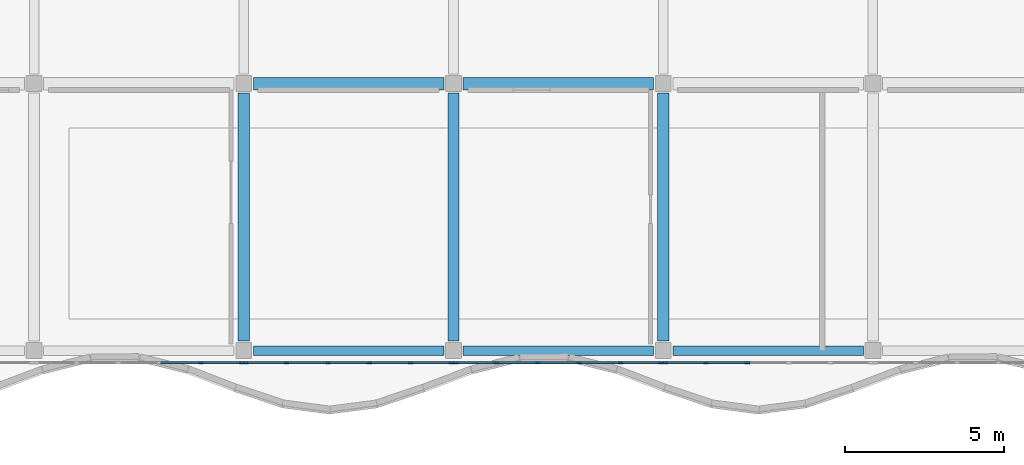
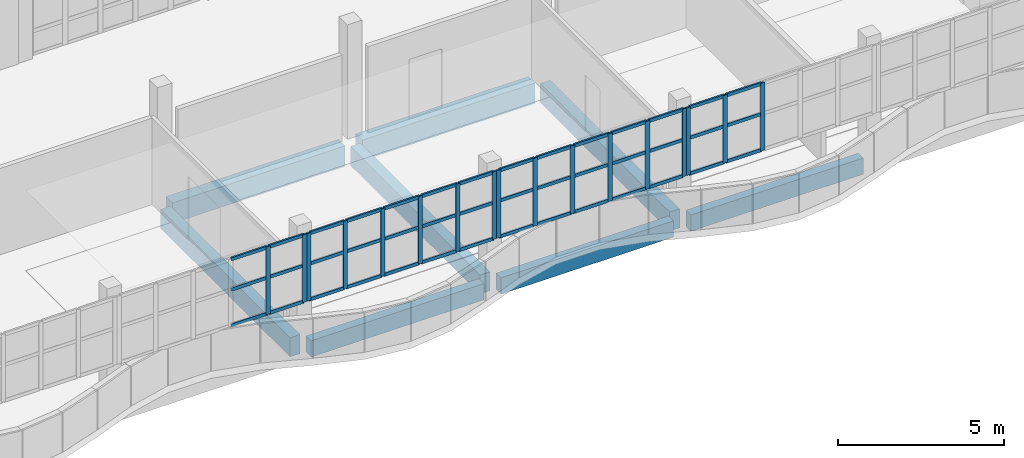
# One storey, part 20 of 78: 59 members, 8 beams, 4 elements without a shape of their own.
"""IFC4 building model written with IfcOpenShell, lengths in metres."""

from ifc_helpers import new_model, si_unit, direction, frame, origin, origin_2d, place, context, subcontext, project, spatial, rectangle, extrude, material, material_profile, profile_set, type_object, element, aggregate, save


model = new_model("IFC4")

# Units and contexts
model_context = context("Model", 3, precision=1e-05, world=origin(), true_north=direction((0.0, 1.0)))
body_context = subcontext(model_context, "Body", "Model", "MODEL_VIEW")
ifc_project = project(units=[si_unit("LENGTHUNIT", "METRE"), si_unit("AREAUNIT", "SQUARE_METRE"), si_unit("VOLUMEUNIT", "CUBIC_METRE"), si_unit("PLANEANGLEUNIT", "RADIAN"), si_unit("MASSUNIT", "GRAM", prefix="KILO")], contexts=[model_context])

# Site, building, storey
site_placement = place(None, origin())
site = spatial("IfcSite", under=ifc_project, at=site_placement, CompositionType="ELEMENT")
building_placement = place(site_placement, origin())
building = spatial("IfcBuilding", under=site, at=building_placement, Name="Qaldarim Faculty of Natural and Applied Sciences", CompositionType="ELEMENT")
storey_placement = place(building_placement, frame((0.0, 0.0, 18.60009765625)))
storey = spatial("IfcBuildingStorey", under=building, at=storey_placement, Name="L04", CompositionType="ELEMENT", Elevation=18.60009765625)

# Beams
ifc_material_1 = material(Name="Concrete C50/60", Category="concrete")
ifc_material_profile_1 = material_profile(ifc_material_1, rectangle(XDim=0.39990234375, YDim=0.75, at=origin_2d()), Name="RC-B400x750")
ifc_profile_set_1 = profile_set([ifc_material_profile_1], Name="Concrete C50/60")
beam_type_1 = type_object("IfcBeamType", Name="LabGirder-RC400x750", PredefinedType="BEAM", material=ifc_profile_set_1)
for number, where, z_axis, x_axis, name in (
    (1, (66.300048828125, 109.199951171875, -0.635009765625), (1.0, 0.0, 0.0), (0.0, 1.0, 0.0), "Beam RC-B400x750 L03 X11-X12/Y14"),
    (2, (72.89990234375, 109.199951171875, -0.635009765625), (1.0, 0.0, 0.0), (0.0, 1.0, 0.0), "Beam RC-B400x750 L03 X12-X13/Y14"),
):
    element("IfcBeam", number, at=place(storey_placement, frame(where, z_axis=z_axis, x_axis=x_axis)), inside=storey, type_object=beam_type_1, Name=name, PredefinedType="BEAM", context=body_context, shape_type="SweptSolid", body=[
        extrude(rectangle(XDim=0.39990234375, YDim=0.75, at=origin_2d()), origin(), (0.0, 0.0, 1.0), 6.0),
    ])

# Curtain wall, members
ifc_material_2 = material(Name="Anodised aluminium AW-6063", Category="aluminium")
curtain_wall_type = type_object("IfcCurtainWallType", Name="CurtainWallSystem-M1400", PredefinedType="USERDEFINED", material=ifc_material_2)
curtain_wall_1_placement = place(storey_placement, origin())
curtain_wall_1 = element("IfcCurtainWall", 3, at=curtain_wall_1_placement, inside=storey, type_object=curtain_wall_type, Name="Curtain wall CW-V4RIB-L04-X10", ObjectType="STICK CURTAIN WALL", PredefinedType="USERDEFINED")
ifc_material_profile_2 = material_profile(ifc_material_2, rectangle(XDim=0.06005859375, YDim=0.14990234375, at=origin_2d()), Name="ALU-M60x150")
ifc_profile_set_2 = profile_set([ifc_material_profile_2], Name="Anodised aluminium AW-6063")
member_type_1 = type_object("IfcMemberType", Name="Mullion-ALU60x150", PredefinedType="MULLION", material=ifc_profile_set_2)
member_1_placement = place(storey_placement, frame((64.656005859375, 100.419921875, 1.449951171875), z_axis=(0.0, 0.0, 1.0), x_axis=(0.0, 1.0, 0.0)))
member_1 = element("IfcMember", 4, at=member_1_placement, type_object=member_type_1, Name="Mullion 5 of CW-V4RIB-L04-X10", PredefinedType="MULLION", context=body_context, shape_type="SweptSolid", body=[
    extrude(rectangle(XDim=0.06005859375, YDim=0.14990234375, at=origin_2d()), origin(), (0.0, 0.0, 1.0), 2.489990234375),
])
member_2_placement = place(storey_placement, frame((65.929931640625, 100.419921875, 1.449951171875), z_axis=(0.0, 0.0, 1.0), x_axis=(0.0, 1.0, 0.0)))
member_2 = element("IfcMember", 5, at=member_2_placement, type_object=member_type_1, Name="Mullion 6 of CW-V4RIB-L04-X10", PredefinedType="MULLION", context=body_context, shape_type="SweptSolid", body=[
    extrude(rectangle(XDim=0.06005859375, YDim=0.14990234375, at=origin_2d()), origin(), (0.0, 0.0, 1.0), 2.489990234375),
])

curtain_wall_2_placement = place(storey_placement, origin())
curtain_wall_2 = element("IfcCurtainWall", 6, at=curtain_wall_2_placement, inside=storey, type_object=curtain_wall_type, Name="Curtain wall CW-V4RIB-L04-X11", ObjectType="STICK CURTAIN WALL", PredefinedType="USERDEFINED")
member_3_placement = place(storey_placement, frame((66.070068359375, 100.419921875, 1.449951171875), z_axis=(0.0, 0.0, 1.0), x_axis=(0.0, 1.0, 0.0)))
member_3 = element("IfcMember", 7, at=member_3_placement, type_object=member_type_1, Name="Mullion 1 of CW-V4RIB-L04-X11", PredefinedType="MULLION", context=body_context, shape_type="SweptSolid", body=[
    extrude(rectangle(XDim=0.06005859375, YDim=0.14990234375, at=origin_2d()), origin(), (0.0, 0.0, 1.0), 2.489990234375),
])
member_4_placement = place(storey_placement, frame((67.343994140625, 100.419921875, 1.449951171875), z_axis=(0.0, 0.0, 1.0), x_axis=(0.0, 1.0, 0.0)))
member_4 = element("IfcMember", 8, at=member_4_placement, type_object=member_type_1, Name="Mullion 2 of CW-V4RIB-L04-X11", PredefinedType="MULLION", context=body_context, shape_type="SweptSolid", body=[
    extrude(rectangle(XDim=0.06005859375, YDim=0.14990234375, at=origin_2d()), origin(), (0.0, 0.0, 1.0), 2.489990234375),
])
member_5_placement = place(storey_placement, frame((68.64794921875, 100.419921875, 1.449951171875), z_axis=(0.0, 0.0, 1.0), x_axis=(0.0, 1.0, 0.0)))
member_5 = element("IfcMember", 9, at=member_5_placement, type_object=member_type_1, Name="Mullion 3 of CW-V4RIB-L04-X11", PredefinedType="MULLION", context=body_context, shape_type="SweptSolid", body=[
    extrude(rectangle(XDim=0.06005859375, YDim=0.14990234375, at=origin_2d()), origin(), (0.0, 0.0, 1.0), 2.489990234375),
])
member_6_placement = place(storey_placement, frame((69.951904296875, 100.419921875, 1.449951171875), z_axis=(0.0, 0.0, 1.0), x_axis=(0.0, 1.0, 0.0)))
member_6 = element("IfcMember", 10, at=member_6_placement, type_object=member_type_1, Name="Mullion 4 of CW-V4RIB-L04-X11", PredefinedType="MULLION", context=body_context, shape_type="SweptSolid", body=[
    extrude(rectangle(XDim=0.06005859375, YDim=0.14990234375, at=origin_2d()), origin(), (0.0, 0.0, 1.0), 2.489990234375),
])
member_7_placement = place(storey_placement, frame((71.256103515625, 100.419921875, 1.449951171875), z_axis=(0.0, 0.0, 1.0), x_axis=(0.0, 1.0, 0.0)))
member_7 = element("IfcMember", 11, at=member_7_placement, type_object=member_type_1, Name="Mullion 5 of CW-V4RIB-L04-X11", PredefinedType="MULLION", context=body_context, shape_type="SweptSolid", body=[
    extrude(rectangle(XDim=0.06005859375, YDim=0.14990234375, at=origin_2d()), origin(), (0.0, 0.0, 1.0), 2.489990234375),
])
member_8_placement = place(storey_placement, frame((72.530029296875, 100.419921875, 1.449951171875), z_axis=(0.0, 0.0, 1.0), x_axis=(0.0, 1.0, 0.0)))
member_8 = element("IfcMember", 12, at=member_8_placement, type_object=member_type_1, Name="Mullion 6 of CW-V4RIB-L04-X11", PredefinedType="MULLION", context=body_context, shape_type="SweptSolid", body=[
    extrude(rectangle(XDim=0.06005859375, YDim=0.14990234375, at=origin_2d()), origin(), (0.0, 0.0, 1.0), 2.489990234375),
])

curtain_wall_3_placement = place(storey_placement, origin())
curtain_wall_3 = element("IfcCurtainWall", 13, at=curtain_wall_3_placement, inside=storey, type_object=curtain_wall_type, Name="Curtain wall CW-V4RIB-L04-X12", ObjectType="STICK CURTAIN WALL", PredefinedType="USERDEFINED")
member_9_placement = place(storey_placement, frame((72.669921875, 100.419921875, 1.449951171875), z_axis=(0.0, 0.0, 1.0), x_axis=(0.0, 1.0, 0.0)))
member_9 = element("IfcMember", 14, at=member_9_placement, type_object=member_type_1, Name="Mullion 1 of CW-V4RIB-L04-X12", PredefinedType="MULLION", context=body_context, shape_type="SweptSolid", body=[
    extrude(rectangle(XDim=0.06005859375, YDim=0.14990234375, at=origin_2d()), origin(), (0.0, 0.0, 1.0), 2.489990234375),
])
member_10_placement = place(storey_placement, frame((73.944091796875, 100.419921875, 1.449951171875), z_axis=(0.0, 0.0, 1.0), x_axis=(0.0, 1.0, 0.0)))
member_10 = element("IfcMember", 15, at=member_10_placement, type_object=member_type_1, Name="Mullion 2 of CW-V4RIB-L04-X12", PredefinedType="MULLION", context=body_context, shape_type="SweptSolid", body=[
    extrude(rectangle(XDim=0.06005859375, YDim=0.14990234375, at=origin_2d()), origin(), (0.0, 0.0, 1.0), 2.489990234375),
])
member_11_placement = place(storey_placement, frame((75.248046875, 100.419921875, 1.449951171875), z_axis=(0.0, 0.0, 1.0), x_axis=(0.0, 1.0, 0.0)))
member_11 = element("IfcMember", 16, at=member_11_placement, type_object=member_type_1, Name="Mullion 3 of CW-V4RIB-L04-X12", PredefinedType="MULLION", context=body_context, shape_type="SweptSolid", body=[
    extrude(rectangle(XDim=0.06005859375, YDim=0.14990234375, at=origin_2d()), origin(), (0.0, 0.0, 1.0), 2.489990234375),
])
member_12_placement = place(storey_placement, frame((76.552001953125, 100.419921875, 1.449951171875), z_axis=(0.0, 0.0, 1.0), x_axis=(0.0, 1.0, 0.0)))
member_12 = element("IfcMember", 17, at=member_12_placement, type_object=member_type_1, Name="Mullion 4 of CW-V4RIB-L04-X12", PredefinedType="MULLION", context=body_context, shape_type="SweptSolid", body=[
    extrude(rectangle(XDim=0.06005859375, YDim=0.14990234375, at=origin_2d()), origin(), (0.0, 0.0, 1.0), 2.489990234375),
])
member_13_placement = place(storey_placement, frame((77.85595703125, 100.419921875, 1.449951171875), z_axis=(0.0, 0.0, 1.0), x_axis=(0.0, 1.0, 0.0)))
member_13 = element("IfcMember", 18, at=member_13_placement, type_object=member_type_1, Name="Mullion 5 of CW-V4RIB-L04-X12", PredefinedType="MULLION", context=body_context, shape_type="SweptSolid", body=[
    extrude(rectangle(XDim=0.06005859375, YDim=0.14990234375, at=origin_2d()), origin(), (0.0, 0.0, 1.0), 2.489990234375),
])
member_14_placement = place(storey_placement, frame((79.1298828125, 100.419921875, 1.449951171875), z_axis=(0.0, 0.0, 1.0), x_axis=(0.0, 1.0, 0.0)))
member_14 = element("IfcMember", 19, at=member_14_placement, type_object=member_type_1, Name="Mullion 6 of CW-V4RIB-L04-X12", PredefinedType="MULLION", context=body_context, shape_type="SweptSolid", body=[
    extrude(rectangle(XDim=0.06005859375, YDim=0.14990234375, at=origin_2d()), origin(), (0.0, 0.0, 1.0), 2.489990234375),
])

curtain_wall_4_placement = place(storey_placement, origin())
curtain_wall_4 = element("IfcCurtainWall", 20, at=curtain_wall_4_placement, inside=storey, type_object=curtain_wall_type, Name="Curtain wall CW-V4RIB-L04-X13", ObjectType="STICK CURTAIN WALL", PredefinedType="USERDEFINED")
member_15_placement = place(storey_placement, frame((79.27001953125, 100.419921875, 1.449951171875), z_axis=(0.0, 0.0, 1.0), x_axis=(0.0, 1.0, 0.0)))
member_15 = element("IfcMember", 21, at=member_15_placement, type_object=member_type_1, Name="Mullion 1 of CW-V4RIB-L04-X13", PredefinedType="MULLION", context=body_context, shape_type="SweptSolid", body=[
    extrude(rectangle(XDim=0.06005859375, YDim=0.14990234375, at=origin_2d()), origin(), (0.0, 0.0, 1.0), 2.489990234375),
])
member_16_placement = place(storey_placement, frame((80.5439453125, 100.419921875, 1.449951171875), z_axis=(0.0, 0.0, 1.0), x_axis=(0.0, 1.0, 0.0)))
member_16 = element("IfcMember", 22, at=member_16_placement, type_object=member_type_1, Name="Mullion 2 of CW-V4RIB-L04-X13", PredefinedType="MULLION", context=body_context, shape_type="SweptSolid", body=[
    extrude(rectangle(XDim=0.06005859375, YDim=0.14990234375, at=origin_2d()), origin(), (0.0, 0.0, 1.0), 2.489990234375),
])
member_17_placement = place(storey_placement, frame((81.847900390625, 100.419921875, 1.449951171875), z_axis=(0.0, 0.0, 1.0), x_axis=(0.0, 1.0, 0.0)))
member_17 = element("IfcMember", 23, at=member_17_placement, type_object=member_type_1, Name="Mullion 3 of CW-V4RIB-L04-X13", PredefinedType="MULLION", context=body_context, shape_type="SweptSolid", body=[
    extrude(rectangle(XDim=0.06005859375, YDim=0.14990234375, at=origin_2d()), origin(), (0.0, 0.0, 1.0), 2.489990234375),
])

# Beams
ifc_material_3 = material(Name="Concrete C40/50", Category="concrete")
ifc_material_profile_3 = material_profile(ifc_material_3, rectangle(XDim=0.35009765625, YDim=0.699951171875, at=origin_2d()), Name="RC-B350x700")
ifc_profile_set_3 = profile_set([ifc_material_profile_3], Name="Concrete C40/50")
beam_type_2 = type_object("IfcBeamType", Name="PrimaryGirder-RC350x700", PredefinedType="BEAM", material=ifc_profile_set_3)
for number, where, z_axis, x_axis, name in (
    (24, (66.0, 101.10009765625, -0.610107421875), (0.0, 1.0, 0.0), (-1.0, 0.0, 0.0), "Beam RC-B350x700 L03 X11/Y13-Y14"),
    (25, (72.60009765625, 101.10009765625, -0.610107421875), (0.0, 1.0, 0.0), (-1.0, 0.0, 0.0), "Beam RC-B350x700 L03 X12/Y13-Y14"),
    (26, (79.199951171875, 101.10009765625, -0.610107421875), (0.0, 1.0, 0.0), (-1.0, 0.0, 0.0), "Beam RC-B350x700 L03 X13/Y13-Y14"),
):
    element("IfcBeam", number, at=place(storey_placement, frame(where, z_axis=z_axis, x_axis=x_axis)), inside=storey, type_object=beam_type_2, Name=name, PredefinedType="BEAM", context=body_context, shape_type="SweptSolid", body=[
        extrude(rectangle(XDim=0.35009765625, YDim=0.699951171875, at=origin_2d()), origin(), (0.0, 0.0, 1.0), 7.7998046875),
    ])
ifc_material_4 = material(Name="Precast concrete C40/50", Category="concrete")
ifc_material_profile_4 = material_profile(ifc_material_4, rectangle(XDim=0.300048828125, YDim=0.60009765625, at=origin_2d()), Name="RC-SP300x600")
ifc_profile_set_4 = profile_set([ifc_material_profile_4], Name="Precast concrete C40/50")
beam_type_3 = type_object("IfcBeamType", Name="SpandrelBeam-RC300x600", PredefinedType="SPANDREL", material=ifc_profile_set_4)
for number, where, z_axis, x_axis, name in (
    (27, (66.300048828125, 100.800048828125, -0.56005859375), (1.0, 0.0, 0.0), (0.0, 1.0, 0.0), "Beam RC-SP300x600 L03 X11-X12/Y13"),
    (28, (72.89990234375, 100.800048828125, -0.56005859375), (1.0, 0.0, 0.0), (0.0, 1.0, 0.0), "Beam RC-SP300x600 L03 X12-X13/Y13"),
    (29, (79.5, 100.800048828125, -0.56005859375), (1.0, 0.0, 0.0), (0.0, 1.0, 0.0), "Beam RC-SP300x600 L03 X13-X14/Y13"),
):
    element("IfcBeam", number, at=place(storey_placement, frame(where, z_axis=z_axis, x_axis=x_axis)), inside=storey, type_object=beam_type_3, Name=name, PredefinedType="SPANDREL", context=body_context, shape_type="SweptSolid", body=[
        extrude(rectangle(XDim=0.300048828125, YDim=0.60009765625, at=origin_2d()), origin(), (0.0, 0.0, 1.0), 6.0),
    ])

# Member
ifc_material_profile_5 = material_profile(ifc_material_2, rectangle(XDim=0.06005859375, YDim=0.1201171875, at=origin_2d()), Name="ALU-T60x120")
ifc_profile_set_5 = profile_set([ifc_material_profile_5], Name="Anodised aluminium AW-6063")
member_type_2 = type_object("IfcMemberType", Name="Transom-ALU60x120", PredefinedType="USERDEFINED", material=ifc_profile_set_5)
member_18_placement = place(storey_placement, frame((63.382080078125, 100.419921875, 1.47998046875), z_axis=(1.0, 0.0, 0.0), x_axis=(0.0, 1.0, 0.0)))
member_18 = element("IfcMember", 30, at=member_18_placement, type_object=member_type_2, Name="Transom 4-1 of CW-V4RIB-L04-X10", ObjectType="TRANSOM", PredefinedType="USERDEFINED", context=body_context, shape_type="SweptSolid", body=[
    extrude(rectangle(XDim=0.06005859375, YDim=0.1201171875, at=origin_2d()), origin(), (0.0, 0.0, 1.0), 1.243896484375),
])

member_19_placement = place(storey_placement, frame((63.382080078125, 100.419921875, 2.7998046875), z_axis=(1.0, 0.0, 0.0), x_axis=(0.0, 1.0, 0.0)))
member_19 = element("IfcMember", 31, at=member_19_placement, type_object=member_type_2, Name="Transom 4-2 of CW-V4RIB-L04-X10", ObjectType="TRANSOM", PredefinedType="USERDEFINED", context=body_context, shape_type="SweptSolid", body=[
    extrude(rectangle(XDim=0.06005859375, YDim=0.1201171875, at=origin_2d()), origin(), (0.0, 0.0, 1.0), 1.243896484375),
])

member_20_placement = place(storey_placement, frame((63.382080078125, 100.419921875, 3.909912109375), z_axis=(1.0, 0.0, 0.0), x_axis=(0.0, 1.0, 0.0)))
member_20 = element("IfcMember", 32, at=member_20_placement, type_object=member_type_2, Name="Transom 4-3 of CW-V4RIB-L04-X10", ObjectType="TRANSOM", PredefinedType="USERDEFINED", context=body_context, shape_type="SweptSolid", body=[
    extrude(rectangle(XDim=0.06005859375, YDim=0.1201171875, at=origin_2d()), origin(), (0.0, 0.0, 1.0), 1.243896484375),
])

member_21_placement = place(storey_placement, frame((64.68603515625, 100.419921875, 1.47998046875), z_axis=(1.0, 0.0, 0.0), x_axis=(0.0, 1.0, 0.0)))
member_21 = element("IfcMember", 33, at=member_21_placement, type_object=member_type_2, Name="Transom 5-1 of CW-V4RIB-L04-X10", ObjectType="TRANSOM", PredefinedType="USERDEFINED", context=body_context, shape_type="SweptSolid", body=[
    extrude(rectangle(XDim=0.06005859375, YDim=0.1201171875, at=origin_2d()), origin(), (0.0, 0.0, 1.0), 1.2138671875),
])

member_22_placement = place(storey_placement, frame((64.68603515625, 100.419921875, 2.7998046875), z_axis=(1.0, 0.0, 0.0), x_axis=(0.0, 1.0, 0.0)))
member_22 = element("IfcMember", 34, at=member_22_placement, type_object=member_type_2, Name="Transom 5-2 of CW-V4RIB-L04-X10", ObjectType="TRANSOM", PredefinedType="USERDEFINED", context=body_context, shape_type="SweptSolid", body=[
    extrude(rectangle(XDim=0.06005859375, YDim=0.1201171875, at=origin_2d()), origin(), (0.0, 0.0, 1.0), 1.2138671875),
])

member_23_placement = place(storey_placement, frame((64.68603515625, 100.419921875, 3.909912109375), z_axis=(1.0, 0.0, 0.0), x_axis=(0.0, 1.0, 0.0)))
member_23 = element("IfcMember", 35, at=member_23_placement, type_object=member_type_2, Name="Transom 5-3 of CW-V4RIB-L04-X10", ObjectType="TRANSOM", PredefinedType="USERDEFINED", context=body_context, shape_type="SweptSolid", body=[
    extrude(rectangle(XDim=0.06005859375, YDim=0.1201171875, at=origin_2d()), origin(), (0.0, 0.0, 1.0), 1.2138671875),
])

aggregate(curtain_wall_1, [member_1, member_2, member_18, member_19, member_20, member_21, member_22, member_23])

member_24_placement = place(storey_placement, frame((66.10009765625, 100.419921875, 1.47998046875), z_axis=(1.0, 0.0, 0.0), x_axis=(0.0, 1.0, 0.0)))
member_24 = element("IfcMember", 36, at=member_24_placement, type_object=member_type_2, Name="Transom 1-1 of CW-V4RIB-L04-X11", ObjectType="TRANSOM", PredefinedType="USERDEFINED", context=body_context, shape_type="SweptSolid", body=[
    extrude(rectangle(XDim=0.06005859375, YDim=0.1201171875, at=origin_2d()), origin(), (0.0, 0.0, 1.0), 1.2138671875),
])

member_25_placement = place(storey_placement, frame((66.10009765625, 100.419921875, 2.7998046875), z_axis=(1.0, 0.0, 0.0), x_axis=(0.0, 1.0, 0.0)))
member_25 = element("IfcMember", 37, at=member_25_placement, type_object=member_type_2, Name="Transom 1-2 of CW-V4RIB-L04-X11", ObjectType="TRANSOM", PredefinedType="USERDEFINED", context=body_context, shape_type="SweptSolid", body=[
    extrude(rectangle(XDim=0.06005859375, YDim=0.1201171875, at=origin_2d()), origin(), (0.0, 0.0, 1.0), 1.2138671875),
])

member_26_placement = place(storey_placement, frame((66.10009765625, 100.419921875, 3.909912109375), z_axis=(1.0, 0.0, 0.0), x_axis=(0.0, 1.0, 0.0)))
member_26 = element("IfcMember", 38, at=member_26_placement, type_object=member_type_2, Name="Transom 1-3 of CW-V4RIB-L04-X11", ObjectType="TRANSOM", PredefinedType="USERDEFINED", context=body_context, shape_type="SweptSolid", body=[
    extrude(rectangle(XDim=0.06005859375, YDim=0.1201171875, at=origin_2d()), origin(), (0.0, 0.0, 1.0), 1.2138671875),
])

member_27_placement = place(storey_placement, frame((67.3740234375, 100.419921875, 1.47998046875), z_axis=(1.0, 0.0, 0.0), x_axis=(0.0, 1.0, 0.0)))
member_27 = element("IfcMember", 39, at=member_27_placement, type_object=member_type_2, Name="Transom 2-1 of CW-V4RIB-L04-X11", ObjectType="TRANSOM", PredefinedType="USERDEFINED", context=body_context, shape_type="SweptSolid", body=[
    extrude(rectangle(XDim=0.06005859375, YDim=0.1201171875, at=origin_2d()), origin(), (0.0, 0.0, 1.0), 1.243896484375),
])

member_28_placement = place(storey_placement, frame((67.3740234375, 100.419921875, 2.7998046875), z_axis=(1.0, 0.0, 0.0), x_axis=(0.0, 1.0, 0.0)))
member_28 = element("IfcMember", 40, at=member_28_placement, type_object=member_type_2, Name="Transom 2-2 of CW-V4RIB-L04-X11", ObjectType="TRANSOM", PredefinedType="USERDEFINED", context=body_context, shape_type="SweptSolid", body=[
    extrude(rectangle(XDim=0.06005859375, YDim=0.1201171875, at=origin_2d()), origin(), (0.0, 0.0, 1.0), 1.243896484375),
])

member_29_placement = place(storey_placement, frame((67.3740234375, 100.419921875, 3.909912109375), z_axis=(1.0, 0.0, 0.0), x_axis=(0.0, 1.0, 0.0)))
member_29 = element("IfcMember", 41, at=member_29_placement, type_object=member_type_2, Name="Transom 2-3 of CW-V4RIB-L04-X11", ObjectType="TRANSOM", PredefinedType="USERDEFINED", context=body_context, shape_type="SweptSolid", body=[
    extrude(rectangle(XDim=0.06005859375, YDim=0.1201171875, at=origin_2d()), origin(), (0.0, 0.0, 1.0), 1.243896484375),
])

member_30_placement = place(storey_placement, frame((68.677978515625, 100.419921875, 1.47998046875), z_axis=(1.0, 0.0, 0.0), x_axis=(0.0, 1.0, 0.0)))
member_30 = element("IfcMember", 42, at=member_30_placement, type_object=member_type_2, Name="Transom 3-1 of CW-V4RIB-L04-X11", ObjectType="TRANSOM", PredefinedType="USERDEFINED", context=body_context, shape_type="SweptSolid", body=[
    extrude(rectangle(XDim=0.06005859375, YDim=0.1201171875, at=origin_2d()), origin(), (0.0, 0.0, 1.0), 1.244140625),
])

member_31_placement = place(storey_placement, frame((68.677978515625, 100.419921875, 2.7998046875), z_axis=(1.0, 0.0, 0.0), x_axis=(0.0, 1.0, 0.0)))
member_31 = element("IfcMember", 43, at=member_31_placement, type_object=member_type_2, Name="Transom 3-2 of CW-V4RIB-L04-X11", ObjectType="TRANSOM", PredefinedType="USERDEFINED", context=body_context, shape_type="SweptSolid", body=[
    extrude(rectangle(XDim=0.06005859375, YDim=0.1201171875, at=origin_2d()), origin(), (0.0, 0.0, 1.0), 1.244140625),
])

member_32_placement = place(storey_placement, frame((68.677978515625, 100.419921875, 3.909912109375), z_axis=(1.0, 0.0, 0.0), x_axis=(0.0, 1.0, 0.0)))
member_32 = element("IfcMember", 44, at=member_32_placement, type_object=member_type_2, Name="Transom 3-3 of CW-V4RIB-L04-X11", ObjectType="TRANSOM", PredefinedType="USERDEFINED", context=body_context, shape_type="SweptSolid", body=[
    extrude(rectangle(XDim=0.06005859375, YDim=0.1201171875, at=origin_2d()), origin(), (0.0, 0.0, 1.0), 1.244140625),
])

member_33_placement = place(storey_placement, frame((69.98193359375, 100.419921875, 1.47998046875), z_axis=(1.0, 0.0, 0.0), x_axis=(0.0, 1.0, 0.0)))
member_33 = element("IfcMember", 45, at=member_33_placement, type_object=member_type_2, Name="Transom 4-1 of CW-V4RIB-L04-X11", ObjectType="TRANSOM", PredefinedType="USERDEFINED", context=body_context, shape_type="SweptSolid", body=[
    extrude(rectangle(XDim=0.06005859375, YDim=0.1201171875, at=origin_2d()), origin(), (0.0, 0.0, 1.0), 1.244140625),
])

member_34_placement = place(storey_placement, frame((69.98193359375, 100.419921875, 2.7998046875), z_axis=(1.0, 0.0, 0.0), x_axis=(0.0, 1.0, 0.0)))
member_34 = element("IfcMember", 46, at=member_34_placement, type_object=member_type_2, Name="Transom 4-2 of CW-V4RIB-L04-X11", ObjectType="TRANSOM", PredefinedType="USERDEFINED", context=body_context, shape_type="SweptSolid", body=[
    extrude(rectangle(XDim=0.06005859375, YDim=0.1201171875, at=origin_2d()), origin(), (0.0, 0.0, 1.0), 1.244140625),
])

member_35_placement = place(storey_placement, frame((69.98193359375, 100.419921875, 3.909912109375), z_axis=(1.0, 0.0, 0.0), x_axis=(0.0, 1.0, 0.0)))
member_35 = element("IfcMember", 47, at=member_35_placement, type_object=member_type_2, Name="Transom 4-3 of CW-V4RIB-L04-X11", ObjectType="TRANSOM", PredefinedType="USERDEFINED", context=body_context, shape_type="SweptSolid", body=[
    extrude(rectangle(XDim=0.06005859375, YDim=0.1201171875, at=origin_2d()), origin(), (0.0, 0.0, 1.0), 1.244140625),
])

member_36_placement = place(storey_placement, frame((71.285888671875, 100.419921875, 1.47998046875), z_axis=(1.0, 0.0, 0.0), x_axis=(0.0, 1.0, 0.0)))
member_36 = element("IfcMember", 48, at=member_36_placement, type_object=member_type_2, Name="Transom 5-1 of CW-V4RIB-L04-X11", ObjectType="TRANSOM", PredefinedType="USERDEFINED", context=body_context, shape_type="SweptSolid", body=[
    extrude(rectangle(XDim=0.06005859375, YDim=0.1201171875, at=origin_2d()), origin(), (0.0, 0.0, 1.0), 1.214111328125),
])

member_37_placement = place(storey_placement, frame((71.285888671875, 100.419921875, 2.7998046875), z_axis=(1.0, 0.0, 0.0), x_axis=(0.0, 1.0, 0.0)))
member_37 = element("IfcMember", 49, at=member_37_placement, type_object=member_type_2, Name="Transom 5-2 of CW-V4RIB-L04-X11", ObjectType="TRANSOM", PredefinedType="USERDEFINED", context=body_context, shape_type="SweptSolid", body=[
    extrude(rectangle(XDim=0.06005859375, YDim=0.1201171875, at=origin_2d()), origin(), (0.0, 0.0, 1.0), 1.214111328125),
])

member_38_placement = place(storey_placement, frame((71.285888671875, 100.419921875, 3.909912109375), z_axis=(1.0, 0.0, 0.0), x_axis=(0.0, 1.0, 0.0)))
member_38 = element("IfcMember", 50, at=member_38_placement, type_object=member_type_2, Name="Transom 5-3 of CW-V4RIB-L04-X11", ObjectType="TRANSOM", PredefinedType="USERDEFINED", context=body_context, shape_type="SweptSolid", body=[
    extrude(rectangle(XDim=0.06005859375, YDim=0.1201171875, at=origin_2d()), origin(), (0.0, 0.0, 1.0), 1.214111328125),
])

aggregate(curtain_wall_2, [member_3, member_4, member_5, member_6, member_7, member_8, member_24, member_25, member_26, member_27, member_28, member_29, member_30, member_31, member_32, member_33, member_34, member_35, member_36, member_37, member_38])

member_39_placement = place(storey_placement, frame((72.699951171875, 100.419921875, 1.47998046875), z_axis=(1.0, 0.0, 0.0), x_axis=(0.0, 1.0, 0.0)))
member_39 = element("IfcMember", 51, at=member_39_placement, type_object=member_type_2, Name="Transom 1-1 of CW-V4RIB-L04-X12", ObjectType="TRANSOM", PredefinedType="USERDEFINED", context=body_context, shape_type="SweptSolid", body=[
    extrude(rectangle(XDim=0.06005859375, YDim=0.1201171875, at=origin_2d()), origin(), (0.0, 0.0, 1.0), 1.214111328125),
])

member_40_placement = place(storey_placement, frame((72.699951171875, 100.419921875, 2.7998046875), z_axis=(1.0, 0.0, 0.0), x_axis=(0.0, 1.0, 0.0)))
member_40 = element("IfcMember", 52, at=member_40_placement, type_object=member_type_2, Name="Transom 1-2 of CW-V4RIB-L04-X12", ObjectType="TRANSOM", PredefinedType="USERDEFINED", context=body_context, shape_type="SweptSolid", body=[
    extrude(rectangle(XDim=0.06005859375, YDim=0.1201171875, at=origin_2d()), origin(), (0.0, 0.0, 1.0), 1.214111328125),
])

member_41_placement = place(storey_placement, frame((72.699951171875, 100.419921875, 3.909912109375), z_axis=(1.0, 0.0, 0.0), x_axis=(0.0, 1.0, 0.0)))
member_41 = element("IfcMember", 53, at=member_41_placement, type_object=member_type_2, Name="Transom 1-3 of CW-V4RIB-L04-X12", ObjectType="TRANSOM", PredefinedType="USERDEFINED", context=body_context, shape_type="SweptSolid", body=[
    extrude(rectangle(XDim=0.06005859375, YDim=0.1201171875, at=origin_2d()), origin(), (0.0, 0.0, 1.0), 1.214111328125),
])

member_42_placement = place(storey_placement, frame((73.97412109375, 100.419921875, 1.47998046875), z_axis=(1.0, 0.0, 0.0), x_axis=(0.0, 1.0, 0.0)))
member_42 = element("IfcMember", 54, at=member_42_placement, type_object=member_type_2, Name="Transom 2-1 of CW-V4RIB-L04-X12", ObjectType="TRANSOM", PredefinedType="USERDEFINED", context=body_context, shape_type="SweptSolid", body=[
    extrude(rectangle(XDim=0.06005859375, YDim=0.1201171875, at=origin_2d()), origin(), (0.0, 0.0, 1.0), 1.243896484375),
])

member_43_placement = place(storey_placement, frame((73.97412109375, 100.419921875, 2.7998046875), z_axis=(1.0, 0.0, 0.0), x_axis=(0.0, 1.0, 0.0)))
member_43 = element("IfcMember", 55, at=member_43_placement, type_object=member_type_2, Name="Transom 2-2 of CW-V4RIB-L04-X12", ObjectType="TRANSOM", PredefinedType="USERDEFINED", context=body_context, shape_type="SweptSolid", body=[
    extrude(rectangle(XDim=0.06005859375, YDim=0.1201171875, at=origin_2d()), origin(), (0.0, 0.0, 1.0), 1.243896484375),
])

member_44_placement = place(storey_placement, frame((73.97412109375, 100.419921875, 3.909912109375), z_axis=(1.0, 0.0, 0.0), x_axis=(0.0, 1.0, 0.0)))
member_44 = element("IfcMember", 56, at=member_44_placement, type_object=member_type_2, Name="Transom 2-3 of CW-V4RIB-L04-X12", ObjectType="TRANSOM", PredefinedType="USERDEFINED", context=body_context, shape_type="SweptSolid", body=[
    extrude(rectangle(XDim=0.06005859375, YDim=0.1201171875, at=origin_2d()), origin(), (0.0, 0.0, 1.0), 1.243896484375),
])

member_45_placement = place(storey_placement, frame((75.278076171875, 100.419921875, 1.47998046875), z_axis=(1.0, 0.0, 0.0), x_axis=(0.0, 1.0, 0.0)))
member_45 = element("IfcMember", 57, at=member_45_placement, type_object=member_type_2, Name="Transom 3-1 of CW-V4RIB-L04-X12", ObjectType="TRANSOM", PredefinedType="USERDEFINED", context=body_context, shape_type="SweptSolid", body=[
    extrude(rectangle(XDim=0.06005859375, YDim=0.1201171875, at=origin_2d()), origin(), (0.0, 0.0, 1.0), 1.243896484375),
])

member_46_placement = place(storey_placement, frame((75.278076171875, 100.419921875, 2.7998046875), z_axis=(1.0, 0.0, 0.0), x_axis=(0.0, 1.0, 0.0)))
member_46 = element("IfcMember", 58, at=member_46_placement, type_object=member_type_2, Name="Transom 3-2 of CW-V4RIB-L04-X12", ObjectType="TRANSOM", PredefinedType="USERDEFINED", context=body_context, shape_type="SweptSolid", body=[
    extrude(rectangle(XDim=0.06005859375, YDim=0.1201171875, at=origin_2d()), origin(), (0.0, 0.0, 1.0), 1.243896484375),
])

member_47_placement = place(storey_placement, frame((75.278076171875, 100.419921875, 3.909912109375), z_axis=(1.0, 0.0, 0.0), x_axis=(0.0, 1.0, 0.0)))
member_47 = element("IfcMember", 59, at=member_47_placement, type_object=member_type_2, Name="Transom 3-3 of CW-V4RIB-L04-X12", ObjectType="TRANSOM", PredefinedType="USERDEFINED", context=body_context, shape_type="SweptSolid", body=[
    extrude(rectangle(XDim=0.06005859375, YDim=0.1201171875, at=origin_2d()), origin(), (0.0, 0.0, 1.0), 1.243896484375),
])

member_48_placement = place(storey_placement, frame((76.58203125, 100.419921875, 1.47998046875), z_axis=(1.0, 0.0, 0.0), x_axis=(0.0, 1.0, 0.0)))
member_48 = element("IfcMember", 60, at=member_48_placement, type_object=member_type_2, Name="Transom 4-1 of CW-V4RIB-L04-X12", ObjectType="TRANSOM", PredefinedType="USERDEFINED", context=body_context, shape_type="SweptSolid", body=[
    extrude(rectangle(XDim=0.06005859375, YDim=0.1201171875, at=origin_2d()), origin(), (0.0, 0.0, 1.0), 1.243896484375),
])

member_49_placement = place(storey_placement, frame((76.58203125, 100.419921875, 2.7998046875), z_axis=(1.0, 0.0, 0.0), x_axis=(0.0, 1.0, 0.0)))
member_49 = element("IfcMember", 61, at=member_49_placement, type_object=member_type_2, Name="Transom 4-2 of CW-V4RIB-L04-X12", ObjectType="TRANSOM", PredefinedType="USERDEFINED", context=body_context, shape_type="SweptSolid", body=[
    extrude(rectangle(XDim=0.06005859375, YDim=0.1201171875, at=origin_2d()), origin(), (0.0, 0.0, 1.0), 1.243896484375),
])

member_50_placement = place(storey_placement, frame((76.58203125, 100.419921875, 3.909912109375), z_axis=(1.0, 0.0, 0.0), x_axis=(0.0, 1.0, 0.0)))
member_50 = element("IfcMember", 62, at=member_50_placement, type_object=member_type_2, Name="Transom 4-3 of CW-V4RIB-L04-X12", ObjectType="TRANSOM", PredefinedType="USERDEFINED", context=body_context, shape_type="SweptSolid", body=[
    extrude(rectangle(XDim=0.06005859375, YDim=0.1201171875, at=origin_2d()), origin(), (0.0, 0.0, 1.0), 1.243896484375),
])

member_51_placement = place(storey_placement, frame((77.885986328125, 100.419921875, 1.47998046875), z_axis=(1.0, 0.0, 0.0), x_axis=(0.0, 1.0, 0.0)))
member_51 = element("IfcMember", 63, at=member_51_placement, type_object=member_type_2, Name="Transom 5-1 of CW-V4RIB-L04-X12", ObjectType="TRANSOM", PredefinedType="USERDEFINED", context=body_context, shape_type="SweptSolid", body=[
    extrude(rectangle(XDim=0.06005859375, YDim=0.1201171875, at=origin_2d()), origin(), (0.0, 0.0, 1.0), 1.214111328125),
])

member_52_placement = place(storey_placement, frame((77.885986328125, 100.419921875, 2.7998046875), z_axis=(1.0, 0.0, 0.0), x_axis=(0.0, 1.0, 0.0)))
member_52 = element("IfcMember", 64, at=member_52_placement, type_object=member_type_2, Name="Transom 5-2 of CW-V4RIB-L04-X12", ObjectType="TRANSOM", PredefinedType="USERDEFINED", context=body_context, shape_type="SweptSolid", body=[
    extrude(rectangle(XDim=0.06005859375, YDim=0.1201171875, at=origin_2d()), origin(), (0.0, 0.0, 1.0), 1.214111328125),
])

member_53_placement = place(storey_placement, frame((77.885986328125, 100.419921875, 3.909912109375), z_axis=(1.0, 0.0, 0.0), x_axis=(0.0, 1.0, 0.0)))
member_53 = element("IfcMember", 65, at=member_53_placement, type_object=member_type_2, Name="Transom 5-3 of CW-V4RIB-L04-X12", ObjectType="TRANSOM", PredefinedType="USERDEFINED", context=body_context, shape_type="SweptSolid", body=[
    extrude(rectangle(XDim=0.06005859375, YDim=0.1201171875, at=origin_2d()), origin(), (0.0, 0.0, 1.0), 1.214111328125),
])

aggregate(curtain_wall_3, [member_9, member_10, member_11, member_12, member_13, member_14, member_39, member_40, member_41, member_42, member_43, member_44, member_45, member_46, member_47, member_48, member_49, member_50, member_51, member_52, member_53])

member_54_placement = place(storey_placement, frame((79.300048828125, 100.419921875, 1.47998046875), z_axis=(1.0, 0.0, 0.0), x_axis=(0.0, 1.0, 0.0)))
member_54 = element("IfcMember", 66, at=member_54_placement, type_object=member_type_2, Name="Transom 1-1 of CW-V4RIB-L04-X13", ObjectType="TRANSOM", PredefinedType="USERDEFINED", context=body_context, shape_type="SweptSolid", body=[
    extrude(rectangle(XDim=0.06005859375, YDim=0.1201171875, at=origin_2d()), origin(), (0.0, 0.0, 1.0), 1.2138671875),
])

member_55_placement = place(storey_placement, frame((79.300048828125, 100.419921875, 2.7998046875), z_axis=(1.0, 0.0, 0.0), x_axis=(0.0, 1.0, 0.0)))
member_55 = element("IfcMember", 67, at=member_55_placement, type_object=member_type_2, Name="Transom 1-2 of CW-V4RIB-L04-X13", ObjectType="TRANSOM", PredefinedType="USERDEFINED", context=body_context, shape_type="SweptSolid", body=[
    extrude(rectangle(XDim=0.06005859375, YDim=0.1201171875, at=origin_2d()), origin(), (0.0, 0.0, 1.0), 1.2138671875),
])

member_56_placement = place(storey_placement, frame((79.300048828125, 100.419921875, 3.909912109375), z_axis=(1.0, 0.0, 0.0), x_axis=(0.0, 1.0, 0.0)))
member_56 = element("IfcMember", 68, at=member_56_placement, type_object=member_type_2, Name="Transom 1-3 of CW-V4RIB-L04-X13", ObjectType="TRANSOM", PredefinedType="USERDEFINED", context=body_context, shape_type="SweptSolid", body=[
    extrude(rectangle(XDim=0.06005859375, YDim=0.1201171875, at=origin_2d()), origin(), (0.0, 0.0, 1.0), 1.2138671875),
])

member_57_placement = place(storey_placement, frame((80.573974609375, 100.419921875, 1.47998046875), z_axis=(1.0, 0.0, 0.0), x_axis=(0.0, 1.0, 0.0)))
member_57 = element("IfcMember", 69, at=member_57_placement, type_object=member_type_2, Name="Transom 2-1 of CW-V4RIB-L04-X13", ObjectType="TRANSOM", PredefinedType="USERDEFINED", context=body_context, shape_type="SweptSolid", body=[
    extrude(rectangle(XDim=0.06005859375, YDim=0.1201171875, at=origin_2d()), origin(), (0.0, 0.0, 1.0), 1.244140625),
])

member_58_placement = place(storey_placement, frame((80.573974609375, 100.419921875, 2.7998046875), z_axis=(1.0, 0.0, 0.0), x_axis=(0.0, 1.0, 0.0)))
member_58 = element("IfcMember", 70, at=member_58_placement, type_object=member_type_2, Name="Transom 2-2 of CW-V4RIB-L04-X13", ObjectType="TRANSOM", PredefinedType="USERDEFINED", context=body_context, shape_type="SweptSolid", body=[
    extrude(rectangle(XDim=0.06005859375, YDim=0.1201171875, at=origin_2d()), origin(), (0.0, 0.0, 1.0), 1.244140625),
])

member_59_placement = place(storey_placement, frame((80.573974609375, 100.419921875, 3.909912109375), z_axis=(1.0, 0.0, 0.0), x_axis=(0.0, 1.0, 0.0)))
member_59 = element("IfcMember", 71, at=member_59_placement, type_object=member_type_2, Name="Transom 2-3 of CW-V4RIB-L04-X13", ObjectType="TRANSOM", PredefinedType="USERDEFINED", context=body_context, shape_type="SweptSolid", body=[
    extrude(rectangle(XDim=0.06005859375, YDim=0.1201171875, at=origin_2d()), origin(), (0.0, 0.0, 1.0), 1.244140625),
])

aggregate(curtain_wall_4, [member_15, member_16, member_17, member_54, member_55, member_56, member_57, member_58, member_59])

save(model, "model.ifc")
